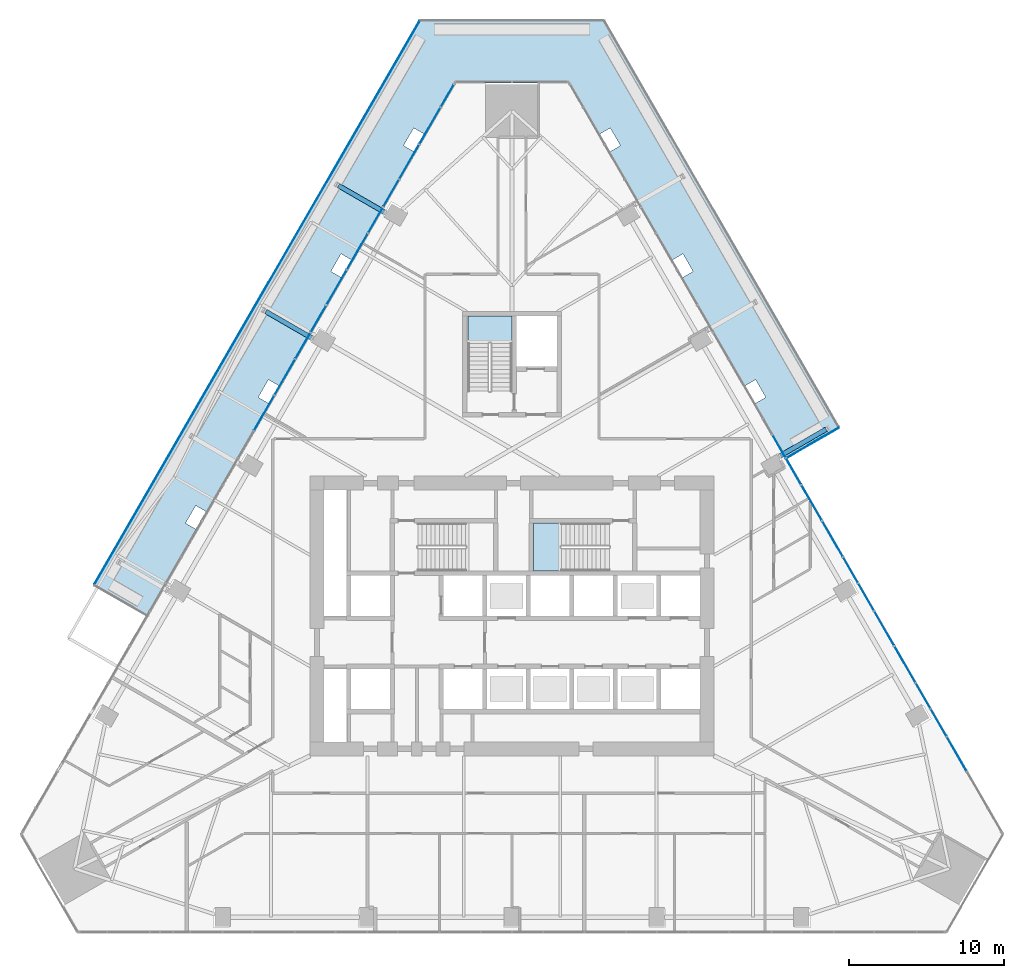
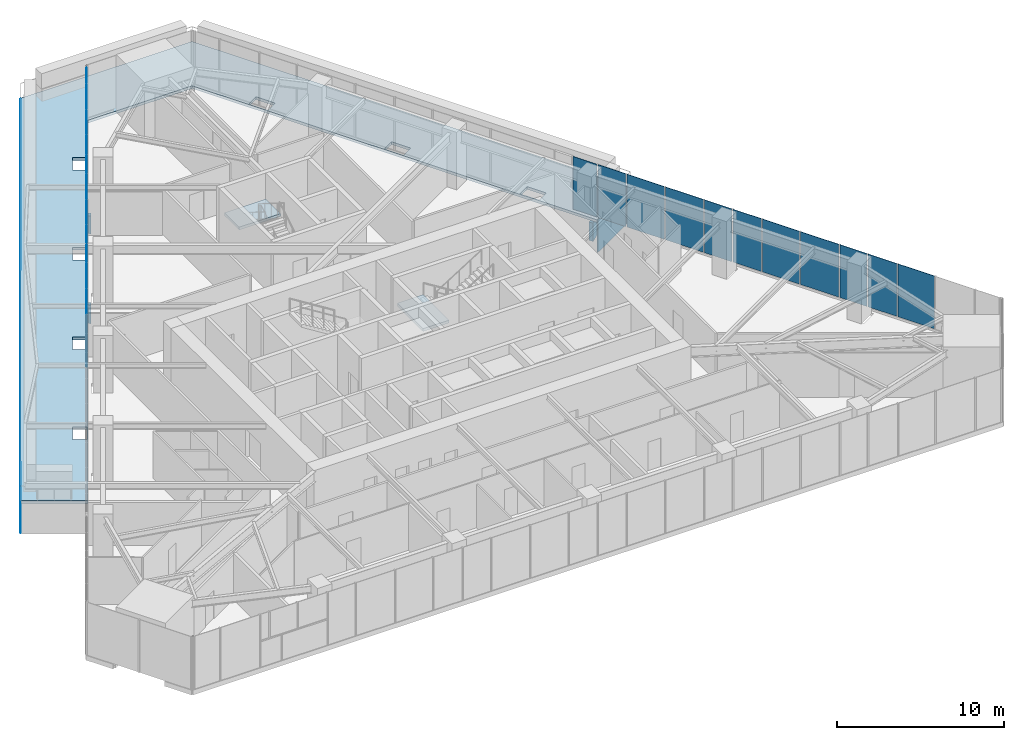
# One storey, part 14 of 26: 27 plates, 3 slabs, 4 elements without a shape of their own.
"""IFC4 building model written with IfcOpenShell, lengths in metres."""

from ifc_helpers import new_model, si_unit, direction, frame, origin, place, context, subcontext, project, spatial, polyline, outline, extrude, material, layer, layer_set, type_object, element, aggregate, save


model = new_model("IFC4")

# Units and contexts
model_context = context("Model", 3, precision=1e-05, world=origin(), true_north=direction((0.0, 1.0)))
body_context = subcontext(model_context, "Body", "Model", "MODEL_VIEW")
ifc_project = project(units=[si_unit("LENGTHUNIT", "METRE"), si_unit("AREAUNIT", "SQUARE_METRE"), si_unit("VOLUMEUNIT", "CUBIC_METRE"), si_unit("PLANEANGLEUNIT", "RADIAN"), si_unit("MASSUNIT", "GRAM", prefix="KILO")], contexts=[model_context])

# Site, building, storey
site_placement = place(None, origin())
site = spatial("IfcSite", under=ifc_project, at=site_placement, CompositionType="ELEMENT")
building_placement = place(site_placement, origin())
building = spatial("IfcBuilding", under=site, at=building_placement, Name="Firuza Gate Tower and Library", CompositionType="ELEMENT")
storey_placement = place(building_placement, frame((0.0, 0.0, 115.60009765625)))
storey = spatial("IfcBuildingStorey", under=building, at=storey_placement, Name="L26", CompositionType="ELEMENT", Elevation=115.60009765625)

# Curtain wall, plates
ifc_material_1 = material(Name="Aluminium 6063-T6", Category="aluminium")
ifc_layer_1 = layer(ifc_material_1, 0.14990234375)
ifc_layer_set_1 = layer_set([ifc_layer_1], Name="Unitised curtain wall, offices")
curtain_wall_type = type_object("IfcCurtainWallType", Name="Unitised curtain wall, offices", PredefinedType="NOTDEFINED", material=ifc_layer_set_1)
placement_1 = place(storey_placement, origin())
curtain_wall_1 = element("IfcCurtainWall", 1, at=placement_1, inside=storey, type_object=curtain_wall_type, Name="CW1 L26 E face", PredefinedType="NOTDEFINED")
ifc_material_2 = material(Name="Fritted glass", Category="glass")
ifc_layer_2 = layer(ifc_material_2, 0.030029296875)
ifc_layer_set_2 = layer_set([ifc_layer_2], Name="Fritted glass unit, offices")
plate_type_1 = type_object("IfcPlateType", Name="Fritted glass unit, offices", PredefinedType="CURTAIN_PANEL", material=ifc_layer_set_2)
plate_1_placement = place(storey_placement, frame((102.971923828125, 67.27880859375, 0.14990234375), z_axis=(0.866026522829, 0.499998061752, 0.0), x_axis=(-0.499998061752, 0.866026522829, 0.0)))
plate_1 = element("IfcPlate", 2, at=plate_1_placement, type_object=plate_type_1, Name="Glass unit", PredefinedType="CURTAIN_PANEL", context=body_context, shape_type="SweptSolid", body=[
    extrude(outline(polyline([(0.0, 0.0), (1.9936600721640632, 0.0), (1.9936600721640632, 3.85009765625), (0.0, 3.85009765625), (0.0, 0.0)])), origin(), (0.0, 0.0, -1.0), 0.030029296875),
])
plate_2_placement = place(storey_placement, frame((101.93505859375, 69.07470703125, 0.14990234375), z_axis=(0.866023396066, 0.500003477455, 0.0), x_axis=(-0.500003477455, 0.866023396066, 0.0)))
plate_2 = element("IfcPlate", 3, at=plate_2_placement, type_object=plate_type_1, Name="Glass unit", PredefinedType="CURTAIN_PANEL", context=body_context, shape_type="SweptSolid", body=[
    extrude(outline(polyline([(0.0, 0.0), (1.8549675676178854, 0.0), (1.8549675676178854, 3.85009765625), (0.0, 3.85009765625), (0.0, 0.0)])), origin(), (0.0, 0.0, -1.0), 0.030029296875),
])
plate_3_placement = place(storey_placement, frame((98.294677734375, 75.379638671875, 0.14990234375), z_axis=(0.866056934013, 0.499945384066, 0.0), x_axis=(-0.499945384066, 0.866056934013, 0.0)))
plate_3 = element("IfcPlate", 4, at=plate_3_placement, type_object=plate_type_1, Name="Glass unit", PredefinedType="CURTAIN_PANEL", context=body_context, shape_type="SweptSolid", body=[
    extrude(outline(polyline([(0.0, 0.0), (1.9591983818993017, 0.0), (1.9591983818993017, 3.85009765625), (0.0, 3.85009765625), (0.0, 0.0)])), origin(), (0.0, 0.0, -1.0), 0.030029296875),
])
plate_4_placement = place(storey_placement, frame((97.275390625, 77.1455078125, 0.14990234375), z_axis=(0.86602422079, 0.500002049001, 0.0), x_axis=(-0.500002049001, 0.86602422079, 0.0)))
plate_4 = element("IfcPlate", 5, at=plate_4_placement, type_object=plate_type_1, Name="Glass unit", PredefinedType="CURTAIN_PANEL", context=body_context, shape_type="SweptSolid", body=[
    extrude(outline(polyline([(0.0, 0.0), (1.889640693747255, 0.0), (1.889640693747255, 3.85009765625), (0.0, 3.85009765625), (0.0, 0.0)])), origin(), (0.0, 0.0, -1.0), 0.030029296875),
])
plate_5_placement = place(storey_placement, frame((93.61767578125, 83.480712890625, 0.14990234375), z_axis=(0.866025015791, 0.500000672024, 0.0), x_axis=(-0.500000672024, 0.866025015791, 0.0)))
plate_5 = element("IfcPlate", 6, at=plate_5_placement, type_object=plate_type_1, Name="Glass unit", PredefinedType="CURTAIN_PANEL", context=body_context, shape_type="SweptSolid", body=[
    extrude(outline(polyline([(0.0, 0.0), (1.92431381988158, 0.0), (1.92431381988158, 3.850097656250001), (0.0, 3.850097656250001), (0.0, 0.0)])), origin(), (0.0, 0.0, -1.0), 0.030029296875),
])
plate_6_placement = place(storey_placement, frame((92.615478515625, 85.216552734375, 0.14990234375), z_axis=(0.86598972202, 0.500061797536, 0.0), x_axis=(-0.500061797536, 0.86598972202, 0.0)))
plate_6 = element("IfcPlate", 7, at=plate_6_placement, type_object=plate_type_1, Name="Glass unit", PredefinedType="CURTAIN_PANEL", context=body_context, shape_type="SweptSolid", body=[
    extrude(outline(polyline([(0.0, 0.0), (1.6399340309854515, 0.0), (1.6399340309854515, 3.85009765625), (0.0, 3.85009765625), (0.0, 0.0)])), origin(), (0.0, 0.0, -1.0), 0.030029296875),
])

curtain_wall_2 = element("IfcCurtainWall", 8, at=placement_1, inside=storey, type_object=curtain_wall_type, Name="CW1 L26 W face", PredefinedType="NOTDEFINED")
plate_7_placement = place(storey_placement, frame((71.23193359375, 109.200927734375, 0.14990234375), z_axis=(-0.865994286471, 0.500053892894, 0.0), x_axis=(-0.500053892894, -0.865994286471, 0.0)))
plate_7 = element("IfcPlate", 9, at=plate_7_placement, type_object=plate_type_1, Name="Glass unit", PredefinedType="CURTAIN_PANEL", context=body_context, shape_type="SweptSolid", body=[
    extrude(outline(polyline([(0.0, 0.0), (1.6365423539913728, 0.0), (1.6365423539913728, 3.85009765625), (0.0, 3.85009765625), (0.0, 0.0)])), origin(), (0.0, 0.0, -1.0), 0.030029296875),
])
plate_8_placement = place(storey_placement, frame((67.700927734375, 103.0849609375, 0.14990234375), z_axis=(-0.865973495257, 0.500089897431, 0.0), x_axis=(-0.500089897431, -0.865973495257, 0.0)))
plate_8 = element("IfcPlate", 10, at=plate_8_placement, type_object=plate_type_1, Name="Glass unit", PredefinedType="CURTAIN_PANEL", context=body_context, shape_type="SweptSolid", body=[
    extrude(outline(polyline([(0.0, 0.0), (1.9937821532141111, 0.0), (1.9937821532141111, 3.85009765625), (0.0, 3.85009765625), (0.0, 0.0)])), origin(), (0.0, 0.0, -1.0), 0.030029296875),
])
plate_9_placement = place(storey_placement, frame((66.6640625, 101.2890625, 0.14990234375), z_axis=(-0.866023396066, 0.500003477455, 0.0), x_axis=(-0.500003477455, -0.866023396066, 0.0)))
plate_9 = element("IfcPlate", 11, at=plate_9_placement, type_object=plate_type_1, Name="Glass unit", PredefinedType="CURTAIN_PANEL", context=body_context, shape_type="SweptSolid", body=[
    extrude(outline(polyline([(0.0, 0.0), (1.8549675676178854, 0.0), (1.8549675676178854, 3.85009765625), (0.0, 3.85009765625), (0.0, 0.0)])), origin(), (0.0, 0.0, -1.0), 0.030029296875),
])
plate_10_placement = place(storey_placement, frame((63.023681640625, 94.984130859375, 0.14990234375), z_axis=(-0.866056934013, 0.499945384066, 0.0), x_axis=(-0.499945384066, -0.866056934013, 0.0)))
plate_10 = element("IfcPlate", 12, at=plate_10_placement, type_object=plate_type_1, Name="Glass unit", PredefinedType="CURTAIN_PANEL", context=body_context, shape_type="SweptSolid", body=[
    extrude(outline(polyline([(0.0, 0.0), (1.9591983818993017, 0.0), (1.9591983818993017, 3.85009765625), (0.0, 3.85009765625), (0.0, 0.0)])), origin(), (0.0, 0.0, -1.0), 0.030029296875),
])
plate_11_placement = place(storey_placement, frame((62.004150390625, 93.21826171875, 0.14990234375), z_axis=(-0.86602422079, 0.500002049001, 0.0), x_axis=(-0.500002049001, -0.86602422079, 0.0)))
plate_11 = element("IfcPlate", 13, at=plate_11_placement, type_object=plate_type_1, Name="Glass unit", PredefinedType="CURTAIN_PANEL", context=body_context, shape_type="SweptSolid", body=[
    extrude(outline(polyline([(0.0, 0.0), (1.889640693747255, 0.0), (1.889640693747255, 3.85009765625), (0.0, 3.85009765625), (0.0, 0.0)])), origin(), (0.0, 0.0, -1.0), 0.030029296875),
])

# Plate
ifc_material_3 = material(Name="Glazed ceramic tile")
ifc_layer_3 = layer(ifc_material_3, 0.030029296875)
ifc_layer_set_3 = layer_set([ifc_layer_3], Name="Opaque ceramic panel, offices")
plate_type_2 = type_object("IfcPlateType", Name="Opaque ceramic panel, offices", PredefinedType="CURTAIN_PANEL", material=ifc_layer_set_3)
plate_12_placement = place(storey_placement, frame((104.264892578125, 65.039306640625, 0.14990234375), z_axis=(0.86602821102, 0.499995137693, 0.0), x_axis=(-0.499995137693, 0.86602821102, 0.0)))
plate_12 = element("IfcPlate", 14, at=plate_12_placement, type_object=plate_type_2, Name="Opaque ceramic panel", PredefinedType="CURTAIN_PANEL", context=body_context, shape_type="SweptSolid", body=[
    extrude(outline(polyline([(0.0, 0.0), (2.505883743750403, 0.0), (2.505883743750403, 3.85009765625), (0.0, 3.85009765625), (0.0, 0.0)])), origin(), (0.0, 0.0, -1.0), 0.030029296875),
])

plate_13_placement = place(storey_placement, frame((100.967529296875, 70.750244140625, 0.14990234375), z_axis=(0.866053391456, 0.499951520798, 0.0), x_axis=(-0.499951520798, 0.866053391456, 0.0)))
plate_13 = element("IfcPlate", 15, at=plate_13_placement, type_object=plate_type_2, Name="Opaque ceramic panel", PredefinedType="CURTAIN_PANEL", context=body_context, shape_type="SweptSolid", body=[
    extrude(outline(polyline([(0.0, 0.0), (2.6447876843941693, 0.0), (2.6447876843941693, 3.85009765625), (0.0, 3.85009765625), (0.0, 0.0)])), origin(), (0.0, 0.0, -1.0), 0.030029296875),
])

plate_14_placement = place(storey_placement, frame((99.605224609375, 73.110107421875, 0.14990234375), z_axis=(0.866011173231, 0.500024647231, 0.0), x_axis=(-0.500024647231, 0.866011173231, 0.0)))
plate_14 = element("IfcPlate", 16, at=plate_14_placement, type_object=plate_type_2, Name="Opaque ceramic panel", PredefinedType="CURTAIN_PANEL", context=body_context, shape_type="SweptSolid", body=[
    extrude(outline(polyline([(0.0, 0.0), (2.5408903731748413, 0.0), (2.5408903731748413, 3.85009765625), (0.0, 3.85009765625), (0.0, 0.0)])), origin(), (0.0, 0.0, -1.0), 0.030029296875),
])

plate_15_placement = place(storey_placement, frame((96.29052734375, 78.851318359375, 0.14990234375), z_axis=(0.866012692104, 0.500022016631, 0.0), x_axis=(-0.500022016631, 0.866012692104, 0.0)))
plate_15 = element("IfcPlate", 17, at=plate_15_placement, type_object=plate_type_2, Name="Opaque ceramic panel", PredefinedType="CURTAIN_PANEL", context=body_context, shape_type="SweptSolid", body=[
    extrude(outline(polyline([(0.0, 0.0), (2.6102366252673797, 0.0), (2.6102366252673797, 3.85009765625), (0.0, 3.85009765625), (0.0, 0.0)])), origin(), (0.0, 0.0, -1.0), 0.030029296875),
])

plate_16_placement = place(storey_placement, frame((94.9453125, 81.18115234375, 0.14990234375), z_axis=(0.866029291668, 0.499993265928, 0.0), x_axis=(-0.499993265928, 0.866029291668, 0.0)))
plate_16 = element("IfcPlate", 18, at=plate_16_placement, type_object=plate_type_2, Name="Opaque ceramic panel", PredefinedType="CURTAIN_PANEL", context=body_context, shape_type="SweptSolid", body=[
    extrude(outline(polyline([(0.0, 0.0), (2.57522999606683, 0.0), (2.57522999606683, 3.85009765625), (0.0, 3.85009765625), (0.0, 0.0)])), origin(), (0.0, 0.0, -1.0), 0.030029296875),
])

aggregate(curtain_wall_1, [plate_12, plate_1, plate_2, plate_13, plate_14, plate_3, plate_4, plate_15, plate_16, plate_5, plate_6])

plate_17_placement = place(storey_placement, frame((70.37353515625, 107.71435546875, 0.14990234375), z_axis=(-0.866053584887, 0.499951185721, 0.0), x_axis=(-0.499951185721, -0.866053584887, 0.0)))
plate_17 = element("IfcPlate", 19, at=plate_17_placement, type_object=plate_type_2, Name="Opaque ceramic panel", PredefinedType="CURTAIN_PANEL", context=body_context, shape_type="SweptSolid", body=[
    extrude(outline(polyline([(0.0, 0.0), (2.679460810645761, 0.0), (2.679460810645761, 3.85009765625), (0.0, 3.85009765625), (0.0, 0.0)])), origin(), (0.0, 0.0, -1.0), 0.030029296875),
])

plate_18_placement = place(storey_placement, frame((68.993896484375, 105.324462890625, 0.14990234375), z_axis=(-0.86602821102, 0.499995137693, 0.0), x_axis=(-0.499995137693, -0.86602821102, 0.0)))
plate_18 = element("IfcPlate", 20, at=plate_18_placement, type_object=plate_type_2, Name="Opaque ceramic panel", PredefinedType="CURTAIN_PANEL", context=body_context, shape_type="SweptSolid", body=[
    extrude(outline(polyline([(0.0, 0.0), (2.505883743750403, 0.0), (2.505883743750403, 3.85009765625), (0.0, 3.85009765625), (0.0, 0.0)])), origin(), (0.0, 0.0, -1.0), 0.030029296875),
])

plate_19_placement = place(storey_placement, frame((65.696533203125, 99.613525390625, 0.14990234375), z_axis=(-0.86601342167, 0.500020753057, 0.0), x_axis=(-0.500020753057, -0.86601342167, 0.0)))
plate_19 = element("IfcPlate", 21, at=plate_19_placement, type_object=plate_type_2, Name="Opaque ceramic panel", PredefinedType="CURTAIN_PANEL", context=body_context, shape_type="SweptSolid", body=[
    extrude(outline(polyline([(0.0, 0.0), (2.6449097513223254, 0.0), (2.6449097513223254, 3.850097656250001), (0.0, 3.850097656250001), (0.0, 0.0)])), origin(), (0.0, 0.0, -1.0), 0.030029296875),
])

plate_20_placement = place(storey_placement, frame((64.333984375, 97.253662109375, 0.14990234375), z_axis=(-0.866052779484, 0.4999525809, 0.0), x_axis=(-0.4999525809, -0.866052779484, 0.0)))
plate_20 = element("IfcPlate", 22, at=plate_20_placement, type_object=plate_type_2, Name="Opaque ceramic panel", PredefinedType="CURTAIN_PANEL", context=body_context, shape_type="SweptSolid", body=[
    extrude(outline(polyline([(0.0, 0.0), (2.5407683056418993, 0.0), (2.5407683056418993, 3.8500976562499996), (0.0, 3.8500976562499996), (0.0, 0.0)])), origin(), (0.0, 0.0, -1.0), 0.030029296875),
])

plate_21_placement = place(storey_placement, frame((61.01953125, 91.512451171875, 0.14990234375), z_axis=(-0.866012692104, 0.500022016631, 0.0), x_axis=(-0.500022016631, -0.866012692104, 0.0)))
plate_21 = element("IfcPlate", 23, at=plate_21_placement, type_object=plate_type_2, Name="Opaque ceramic panel", PredefinedType="CURTAIN_PANEL", context=body_context, shape_type="SweptSolid", body=[
    extrude(outline(polyline([(0.0, 0.0), (2.6102366252673797, 0.0), (2.6102366252673797, 3.85009765625), (0.0, 3.85009765625), (0.0, 0.0)])), origin(), (0.0, 0.0, -1.0), 0.030029296875),
])

plate_22_placement = place(storey_placement, frame((59.67431640625, 89.1826171875, 0.14990234375), z_axis=(-0.866029291668, 0.499993265928, 0.0), x_axis=(-0.499993265928, -0.866029291668, 0.0)))
plate_22 = element("IfcPlate", 24, at=plate_22_placement, type_object=plate_type_2, Name="Opaque ceramic panel", PredefinedType="CURTAIN_PANEL", context=body_context, shape_type="SweptSolid", body=[
    extrude(outline(polyline([(0.0, 0.0), (2.57522999606683, 0.0), (2.57522999606683, 3.85009765625), (0.0, 3.85009765625), (0.0, 0.0)])), origin(), (0.0, 0.0, -1.0), 0.030029296875),
])

aggregate(curtain_wall_2, [plate_7, plate_17, plate_18, plate_8, plate_9, plate_19, plate_20, plate_10, plate_11, plate_21, plate_22])

# Slab
ifc_material_4 = material(Name="Concrete C40/50", Category="concrete")
ifc_layer_4 = layer(ifc_material_4, 0.199951171875)
ifc_layer_set_4 = layer_set([ifc_layer_4], Name="Planter tray slab 200 C40/50")
slab_type_1 = type_object("IfcSlabType", Name="Planter tray slab 200 C40/50", PredefinedType="FLOOR", material=ifc_layer_set_4)
slab_1_placement = place(storey_placement, frame((0.0, 0.0, -0.2001953125)))
element("IfcSlab", 25, at=slab_1_placement, inside=storey, type_object=slab_type_1, Name="Planter tray L26 band 3", PredefinedType="FLOOR", context=body_context, shape_type="SweptSolid", body=[
    extrude(outline(polyline([(92.5576171875, 85.136962890625), (96.021728515625, 87.136962890625), (80.909423828125, 113.31201171875), (69.090576171875, 113.31201171875), (48.125732421875, 77.0), (51.58984375, 75.0), (71.39990234375, 109.31201171875), (78.60009765625, 109.31201171875), (92.5576171875, 85.136962890625)]), holes=[polyline([(54.04345703125, 81.070068359375), (54.04345703125, 81.070068359375), (54.6435546875, 82.109375), (55.379638671875, 81.684326171875), (55.323974609375, 81.587890625), (55.323974609375, 81.587890625), (54.723876953125, 80.548583984375), (53.98779296875, 80.9736328125), (54.04345703125, 81.070068359375)]), polyline([(58.720703125, 89.171142578125), (58.720703125, 89.171142578125), (59.320556640625, 90.210205078125), (60.056640625, 89.78515625), (60.0009765625, 89.688720703125), (60.0009765625, 89.688720703125), (59.401123046875, 88.649658203125), (58.6650390625, 89.07470703125), (58.720703125, 89.171142578125)]), polyline([(63.397705078125, 97.27197265625), (63.397705078125, 97.27197265625), (63.997802734375, 98.311279296875), (64.73388671875, 97.88623046875), (64.67822265625, 97.789794921875), (64.67822265625, 97.789794921875), (64.078125, 96.75048828125), (63.342041015625, 97.175537109375), (63.397705078125, 97.27197265625)]), polyline([(68.07470703125, 105.373046875), (68.6748046875, 106.412353515625), (69.410888671875, 105.9873046875), (69.355224609375, 105.890869140625), (69.355224609375, 105.890869140625), (68.75537109375, 104.8515625), (68.01904296875, 105.276611328125), (68.07470703125, 105.373046875), (68.07470703125, 105.373046875)]), polyline([(89.943359375, 89.78515625), (90.679443359375, 90.210205078125), (91.279296875, 89.171142578125), (91.279296875, 89.171142578125), (91.3349609375, 89.07470703125), (90.598876953125, 88.649658203125), (89.9990234375, 89.688720703125), (89.9990234375, 89.688720703125), (89.943359375, 89.78515625)]), polyline([(85.26611328125, 97.88623046875), (86.002197265625, 98.311279296875), (86.602294921875, 97.27197265625), (86.602294921875, 97.27197265625), (86.657958984375, 97.175537109375), (85.921875, 96.75048828125), (85.32177734375, 97.789794921875), (85.32177734375, 97.789794921875), (85.26611328125, 97.88623046875)]), polyline([(80.589111328125, 105.9873046875), (81.3251953125, 106.412353515625), (81.92529296875, 105.373046875), (81.92529296875, 105.373046875), (81.98095703125, 105.276611328125), (81.24462890625, 104.8515625), (80.644775390625, 105.890869140625), (80.644775390625, 105.890869140625), (80.589111328125, 105.9873046875)])]), origin(), (0.0, 0.0, 1.0), 0.2001953125),
])

# Stair, slab
ifc_material_5 = material(Name="Concrete C35/45", Category="concrete")
stair_type_1 = type_object("IfcStairType", Name="Exit stair ST5", PredefinedType="HALF_TURN_STAIR", material=ifc_material_5)
stair_1 = element("IfcStair", 26, at=placement_1, inside=storey, type_object=stair_type_1, Name="L26 Stair ST2", PredefinedType="HALF_TURN_STAIR")
ifc_material_6 = material(Name="Concrete C35/45", Category="concrete")
ifc_layer_5 = layer(ifc_material_6, 0.199951171875)
ifc_layer_set_5 = layer_set([ifc_layer_5], Name="Stair landing 200")
slab_type_2 = type_object("IfcSlabType", Name="Stair landing 200", PredefinedType="LANDING", material=ifc_layer_set_5)
placement_2 = place(storey_placement, frame((0.0, 0.0, 1.89990234375)))
slab_2 = element("IfcSlab", 27, at=placement_2, type_object=slab_type_2, Name="ST2 landing 1", PredefinedType="LANDING", context=body_context, shape_type="SweptSolid", body=[
    extrude(outline(polyline([(78.179931640625, 80.97998046875), (76.389892578125, 80.97998046875), (76.389892578125, 77.89990234375), (78.179931640625, 77.89990234375), (78.179931640625, 80.97998046875)])), origin(), (0.0, 0.0, 1.0), 0.199951171875),
])
aggregate(stair_1, [slab_2])

ifc_material_7 = material(Name="Concrete C35/45", Category="concrete")
stair_type_2 = type_object("IfcStairType", Name="Exit stair ST14", PredefinedType="HALF_TURN_STAIR", material=ifc_material_7)
stair_2 = element("IfcStair", 28, at=placement_1, inside=storey, type_object=stair_type_2, Name="L26 Stair ST3", PredefinedType="HALF_TURN_STAIR")
slab_3 = element("IfcSlab", 29, at=placement_2, type_object=slab_type_2, Name="ST3 landing 1", PredefinedType="LANDING", context=body_context, shape_type="SweptSolid", body=[
    extrude(outline(polyline([(75.0, 92.550048828125), (75.0, 94.300048828125), (72.159912109375, 94.300048828125), (72.159912109375, 92.550048828125), (75.0, 92.550048828125)])), origin(), (0.0, 0.0, 1.0), 0.199951171875),
])
aggregate(stair_2, [slab_3])

# Plates
ifc_material_8 = material(Name="Steel S355", Category="steel")
ifc_layer_6 = layer(ifc_material_8, 0.300048828125)
ifc_layer_set_6 = layer_set([ifc_layer_6], Name="Tray bracket web 300 Steel S355")
plate_type_3 = type_object("IfcPlateType", Name="Tray bracket web 300 Steel S355", PredefinedType="SHEET", material=ifc_layer_set_6)
for number, where, z_axis, x_axis, name in (
    (30, (92.177001953125, 85.43701171875, -0.2001953125), (-0.500081895979, 0.865978115955, 0.0), (0.865978115955, 0.500081895979, 0.0), "Tray bracket web L26 col:L25:E3"),
    (31, (66.72705078125, 100.85888671875, -0.2001953125), (-0.500081895979, -0.865978115955, 0.0), (-0.865978115955, 0.500081895979, 0.0), "Tray bracket web L26 col:L25:W1"),
):
    element("IfcPlate", number, at=place(storey_placement, frame(where, z_axis=z_axis, x_axis=x_axis)), inside=storey, type_object=plate_type_3, Name=name, PredefinedType="SHEET", context=body_context, shape_type="SweptSolid", body=[
        extrude(outline(polyline([(0.0, 0.0), (3.429614038049955, 0.0), (0.0, 1.333984375), (0.0, 0.0)])), origin(), (0.0, 0.0, -1.0), 0.300048828125),
    ])
plate_23_placement = place(storey_placement, frame((62.050048828125, 92.758056640625, -0.2001953125), z_axis=(-0.500028509433, -0.86600894323, 0.0), x_axis=(-0.86600894323, 0.500028509433, 0.0)))
element("IfcPlate", 32, at=plate_23_placement, inside=storey, type_object=plate_type_3, Name="Tray bracket web L26 col:L25:W2", PredefinedType="SHEET", context=body_context, shape_type="SweptSolid", body=[
    extrude(outline(polyline([(0.0, 0.0), (3.4294919542601163, 0.0), (0.0, 1.333984375), (0.0, 0.0)])), origin(), (0.0, 0.0, -1.0), 0.300048828125),
])
ifc_material_9 = material(Name="Aluminium 6063-T6", Category="aluminium")
ifc_layer_7 = layer(ifc_material_9, 0.050048828125)
ifc_layer_set_7 = layer_set([ifc_layer_7], Name="Tray fascia panel 50")
plate_type_4 = type_object("IfcPlateType", Name="Tray fascia panel 50", PredefinedType="SHEET", material=ifc_layer_set_7)
plate_24_placement = place(storey_placement, frame((69.031982421875, 113.31103515625, -2.400146484375), z_axis=(-0.866021968229, 0.50000595051, 0.0), x_axis=(-0.50000595051, -0.866021968229, 0.0)))
element("IfcPlate", 33, at=plate_24_placement, inside=storey, type_object=plate_type_4, Name="Tray fascia L26 3", PredefinedType="SHEET", context=body_context, shape_type="SweptSolid", body=[
    extrude(outline(polyline([(0.0, 0.0), (41.86961889636645, 0.0), (41.86961889636645, 2.400146484375), (0.0, 2.400146484375), (0.0, 0.0)])), origin(), (0.0, 0.0, -1.0), 0.050048828125),
])
plate_25_placement = place(storey_placement, frame((92.60888671875, 85.10888671875, -2.400146484375), z_axis=(0.500044270822, -0.865999842505, 0.0), x_axis=(0.865999842505, 0.500044270822, 0.0)))
element("IfcPlate", 34, at=plate_25_placement, inside=storey, type_object=plate_type_4, Name="Tray fascia L26 8", PredefinedType="SHEET", context=body_context, shape_type="SweptSolid", body=[
    extrude(outline(polyline([(0.0, 0.0), (3.9400808262643205, 0.0), (3.9400808262643205, 2.400146484375), (0.0, 2.400146484375), (0.0, 0.0)])), origin(), (0.0, 0.0, -1.0), 0.050048828125),
])

save(model, "model.ifc")
